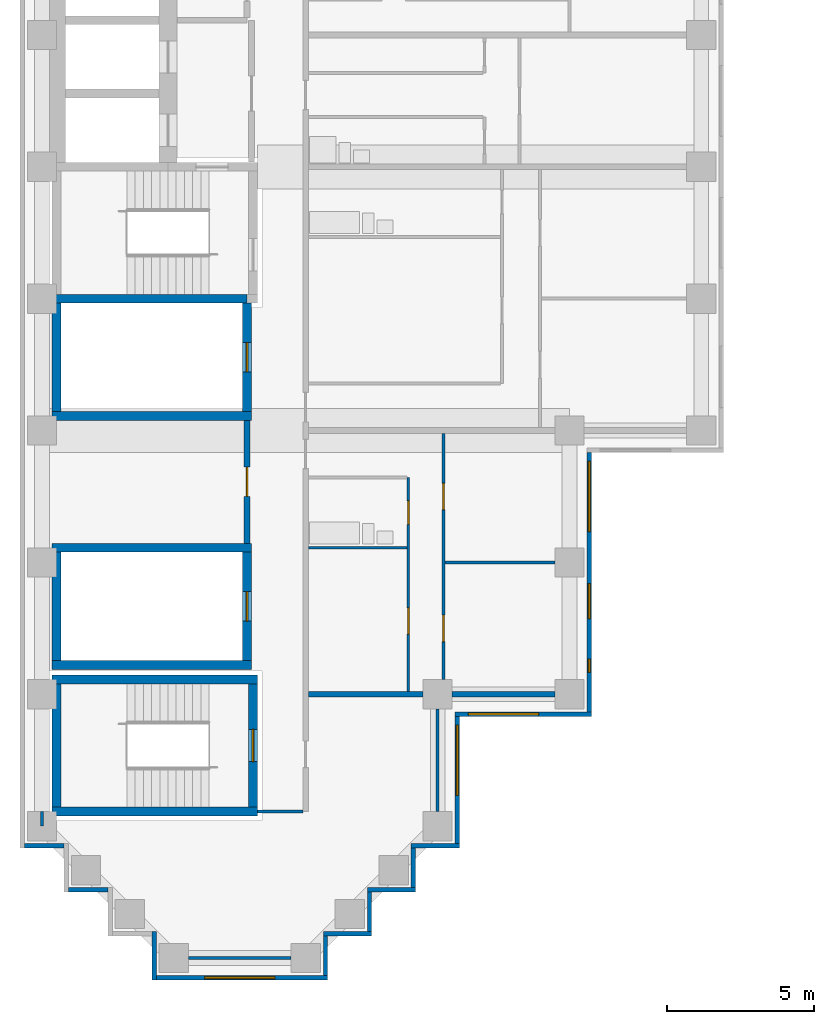
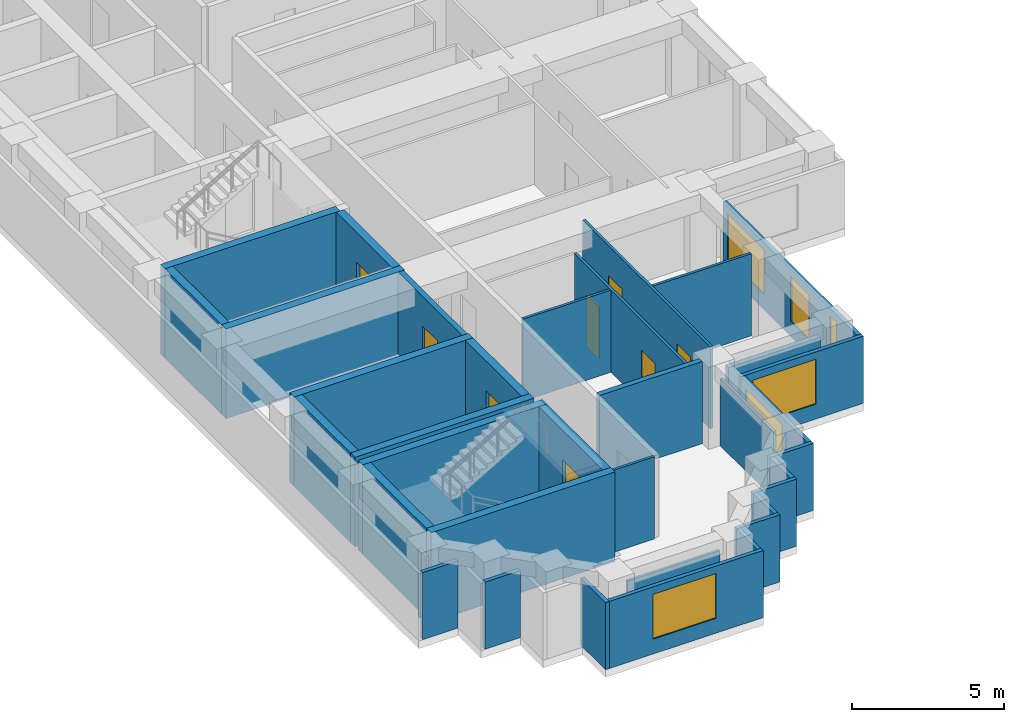
# One storey, part 2 of 11: 36 walls, 8 doors, 6 windows, 14 openings.
"""IFC4 building model written with IfcOpenShell, lengths in metres."""

from ifc_helpers import new_model, si_unit, direction, frame, frame_2d, origin, place, context, subcontext, project, spatial, rectangle, extrude, material, layer, layer_set, type_object, element, fill, save


model = new_model("IFC4")

# Units and contexts
model_context = context("Model", 3, precision=1e-05, world=origin(), true_north=direction((0.0, 1.0)))
body_context = subcontext(model_context, "Body", "Model", "MODEL_VIEW")
ifc_project = project(units=[si_unit("LENGTHUNIT", "METRE"), si_unit("AREAUNIT", "SQUARE_METRE"), si_unit("VOLUMEUNIT", "CUBIC_METRE"), si_unit("PLANEANGLEUNIT", "RADIAN"), si_unit("MASSUNIT", "GRAM", prefix="KILO")], contexts=[model_context])

# Site, building, storey
site_placement = place(None, origin())
site = spatial("IfcSite", under=ifc_project, at=site_placement, CompositionType="ELEMENT")
building_placement = place(site_placement, origin())
building = spatial("IfcBuilding", under=site, at=building_placement, Name="Firuza Court", CompositionType="ELEMENT")
storey_placement = place(building_placement, frame((0.0, 0.0, 134.0)))
storey = spatial("IfcBuildingStorey", under=building, at=storey_placement, Name="L33", CompositionType="ELEMENT", Elevation=134.0)

# Walls
ifc_material_1 = material(Name="Moisture-resistant gypsum board partition")
ifc_layer_1 = layer(ifc_material_1, 0.10009765625)
ifc_layer_set_1 = layer_set([ifc_layer_1], Name="Moisture-resistant gypsum board partition")
wall_type_1 = type_object("IfcWallType", Name="Bathroom partition 100", PredefinedType="PLUMBINGWALL", material=ifc_layer_set_1)
wall_1_placement = place(storey_placement, frame((9.10009765625, 14.0, 0.0), z_axis=(0.0, 0.0, 1.0), x_axis=(1.0, 0.0, 0.0)))
element("IfcWall", 1, at=wall_1_placement, inside=storey, type_object=wall_type_1, Name="Bathroom partition 100 L33", PredefinedType="PLUMBINGWALL", context=body_context, shape_type="SweptSolid", body=[
    extrude(rectangle(XDim=3.349853515625, YDim=0.10009765625, at=frame_2d((1.6748046875, 0.0))), origin(), (0.0, 0.0, 1.0), 3.300048828125),
])
ifc_material_2 = material(Name="Concrete C60/75", Category="concrete")
ifc_layer_2 = layer(ifc_material_2, 0.300048828125)
ifc_layer_set_2 = layer_set([ifc_layer_2], Name="Concrete C60/75")
wall_type_2 = type_object("IfcWallType", Name="Core wall 300 C60/75", PredefinedType="SHEAR", material=ifc_layer_set_2)
for number, where, z_axis, x_axis, name in (
    (2, (0.35009765625, 5.0, -0.300048828125), (0.0, 0.0, 1.0), (1.0, 0.0, 0.0), "Core wall stair L33"),
    (3, (0.35009765625, 9.5, -0.300048828125), (0.0, 0.0, 1.0), (1.0, 0.0, 0.0), "Core wall stair L33"),
):
    element("IfcWall", number, at=place(storey_placement, frame(where, z_axis=z_axis, x_axis=x_axis)), inside=storey, type_object=wall_type_2, Name=name, PredefinedType="SHEAR", context=body_context, shape_type="SweptSolid", body=[
        extrude(rectangle(XDim=7.0, YDim=0.300048828125, at=frame_2d((3.5, 0.0))), origin(), (0.0, 0.0, 1.0), 3.60009765625),
    ])
for number, where, z_axis, x_axis, name in (
    (4, (0.35009765625, 10.0, -0.300048828125), (0.0, 0.0, 1.0), (1.0, 0.0, 0.0), "Core wall riser L33"),
    (5, (0.35009765625, 14.0, -0.300048828125), (0.0, 0.0, 1.0), (1.0, 0.0, 0.0), "Core wall riser L33"),
    (6, (0.35009765625, 18.5, -0.300048828125), (0.0, 0.0, 1.0), (1.0, 0.0, 0.0), "Core wall riser L33"),
):
    element("IfcWall", number, at=place(storey_placement, frame(where, z_axis=z_axis, x_axis=x_axis)), inside=storey, type_object=wall_type_2, Name=name, PredefinedType="SHEAR", context=body_context, shape_type="SweptSolid", body=[
        extrude(rectangle(XDim=6.7998046875, YDim=0.300048828125, at=frame_2d((3.39990234375, 0.0))), origin(), (0.0, 0.0, 1.0), 3.60009765625),
    ])
wall_2_placement = place(storey_placement, frame((0.35009765625, 22.5, -0.300048828125), z_axis=(0.0, 0.0, 1.0), x_axis=(1.0, 0.0, 0.0)))
element("IfcWall", 7, at=wall_2_placement, inside=storey, type_object=wall_type_2, Name="Core wall riser L33", PredefinedType="SHEAR", context=body_context, shape_type="SweptSolid", body=[
    extrude(rectangle(XDim=6.64990234375, YDim=0.300048828125, at=frame_2d((3.324951171875, 0.0))), origin(), (0.0, 0.0, 1.0), 3.60009765625),
])
wall_3_placement = place(storey_placement, frame((0.5, 5.14990234375, -0.300048828125), z_axis=(0.0, 0.0, 1.0), x_axis=(0.0, 1.0, 0.0)))
element("IfcWall", 8, at=wall_3_placement, inside=storey, type_object=wall_type_2, Name="Core wall stair L33", PredefinedType="SHEAR", context=body_context, shape_type="SweptSolid", body=[
    extrude(rectangle(XDim=4.2001953125, YDim=0.300048828125, at=frame_2d((2.10009765625, 0.0))), origin(), (0.0, 0.0, 1.0), 3.60009765625),
])
for number, where, z_axis, x_axis, name in (
    (9, (0.5, 10.14990234375, -0.300048828125), (0.0, 0.0, 1.0), (0.0, 1.0, 0.0), "Core wall riser L33"),
    (10, (0.5, 18.64990234375, -0.300048828125), (0.0, 0.0, 1.0), (0.0, 1.0, 0.0), "Core wall riser L33"),
):
    element("IfcWall", number, at=place(storey_placement, frame(where, z_axis=z_axis, x_axis=x_axis)), inside=storey, type_object=wall_type_2, Name=name, PredefinedType="SHEAR", context=body_context, shape_type="SweptSolid", body=[
        extrude(rectangle(XDim=3.7001953125, YDim=0.300048828125, at=frame_2d((1.85009765625, 0.0))), origin(), (0.0, 0.0, 1.0), 3.60009765625),
    ])

# Wall, opening, door
wall_4_placement = place(storey_placement, frame((7.0, 10.14990234375, -0.300048828125), z_axis=(0.0, 0.0, 1.0), x_axis=(0.0, 1.0, 0.0)))
wall_4 = element("IfcWall", 11, at=wall_4_placement, inside=storey, type_object=wall_type_2, Name="Core wall riser L33", PredefinedType="SHEAR", context=body_context, shape_type="SweptSolid", body=[
    extrude(rectangle(XDim=3.7001953125, YDim=0.300048828125, at=frame_2d((1.85009765625, 0.0))), origin(), (0.0, 0.0, 1.0), 3.60009765625),
])
opening_1_placement = place(wall_4_placement, frame((1.35009765625, 0.0, 0.300048828125)))
opening_1 = element("IfcOpeningElement", 12, at=opening_1_placement, cuts=wall_4, Name="Opening D33011", PredefinedType="OPENING", context=body_context, shape_type="SweptSolid", body=[
    extrude(rectangle(XDim=1.0, YDim=2.10009765625, at=frame_2d((0.5, 1.050048828125))), frame((0.0, 0.162109375, 0.0), z_axis=(0.0, -1.0, 0.0), x_axis=(1.0, 0.0, 0.0)), (0.0, 0.0, 1.0), 0.323974609375),
])
ifc_material_3 = material(Name="Timber door leaf in hardwood frame", Category="wood")
door_type_1 = type_object("IfcDoorType", Name="Riser door 1000", OperationType="SINGLE_SWING_LEFT", PredefinedType="DOOR", material=ifc_material_3)
door_1_placement = place(opening_1_placement, origin())
door_1 = element("IfcDoor", 13, at=door_1_placement, inside=storey, type_object=door_type_1, Name="Riser door R4", OperationType="SINGLE_SWING_LEFT", OverallHeight=2.10009765625, OverallWidth=1.0, PredefinedType="DOOR", context=body_context, shape_type="SweptSolid", body=[
    extrude(rectangle(XDim=1.0, YDim=2.10009765625, at=frame_2d((0.5, 1.050048828125))), frame((0.0, 0.02490234375, 0.0), z_axis=(0.0, -1.0, 0.0), x_axis=(1.0, 0.0, 0.0)), (0.0, 0.0, 1.0), 0.050048828125),
])
fill(opening_1, door_1)

wall_5_placement = place(storey_placement, frame((7.0, 18.64990234375, -0.300048828125), z_axis=(0.0, 0.0, 1.0), x_axis=(0.0, 1.0, 0.0)))
wall_5 = element("IfcWall", 14, at=wall_5_placement, inside=storey, type_object=wall_type_2, Name="Core wall riser L33", PredefinedType="SHEAR", context=body_context, shape_type="SweptSolid", body=[
    extrude(rectangle(XDim=3.7001953125, YDim=0.300048828125, at=frame_2d((1.85009765625, 0.0))), origin(), (0.0, 0.0, 1.0), 3.60009765625),
])
opening_2_placement = place(wall_5_placement, frame((1.35009765625, 0.0, 0.300048828125)))
opening_2 = element("IfcOpeningElement", 15, at=opening_2_placement, cuts=wall_5, Name="Opening D33009", PredefinedType="OPENING", context=body_context, shape_type="SweptSolid", body=[
    extrude(rectangle(XDim=1.0, YDim=2.10009765625, at=frame_2d((0.5, 1.050048828125))), frame((0.0, 0.162109375, 0.0), z_axis=(0.0, -1.0, 0.0), x_axis=(1.0, 0.0, 0.0)), (0.0, 0.0, 1.0), 0.323974609375),
])
door_2_placement = place(opening_2_placement, origin())
door_2 = element("IfcDoor", 16, at=door_2_placement, inside=storey, type_object=door_type_1, Name="Riser door R1", OperationType="SINGLE_SWING_LEFT", OverallHeight=2.10009765625, OverallWidth=1.0, PredefinedType="DOOR", context=body_context, shape_type="SweptSolid", body=[
    extrude(rectangle(XDim=1.0, YDim=2.10009765625, at=frame_2d((0.5, 1.050048828125))), frame((0.0, 0.02490234375, 0.0), z_axis=(0.0, -1.0, 0.0), x_axis=(1.0, 0.0, 0.0)), (0.0, 0.0, 1.0), 0.050048828125),
])
fill(opening_2, door_2)

wall_6_placement = place(storey_placement, frame((7.199951171875, 5.14990234375, -0.300048828125), z_axis=(0.0, 0.0, 1.0), x_axis=(0.0, 1.0, 0.0)))
wall_6 = element("IfcWall", 17, at=wall_6_placement, inside=storey, type_object=wall_type_2, Name="Core wall stair L33", PredefinedType="SHEAR", context=body_context, shape_type="SweptSolid", body=[
    extrude(rectangle(XDim=4.2001953125, YDim=0.300048828125, at=frame_2d((2.10009765625, 0.0))), origin(), (0.0, 0.0, 1.0), 3.60009765625),
])
opening_3_placement = place(wall_6_placement, frame((1.550048828125, 0.0, 0.300048828125)))
opening_3 = element("IfcOpeningElement", 18, at=opening_3_placement, cuts=wall_6, Name="Opening D33017", PredefinedType="OPENING", context=body_context, shape_type="SweptSolid", body=[
    extrude(rectangle(XDim=1.10009765625, YDim=2.10009765625, at=frame_2d((0.550048828125, 1.050048828125))), frame((0.0, 0.162109375, 0.0), z_axis=(0.0, -1.0, 0.0), x_axis=(1.0, 0.0, 0.0)), (0.0, 0.0, 1.0), 0.323974609375),
])
ifc_material_4 = material(Name="Timber door leaf in hardwood frame", Category="wood")
door_type_2 = type_object("IfcDoorType", Name="Stair door 1100", OperationType="SINGLE_SWING_LEFT", PredefinedType="DOOR", material=ifc_material_4)
door_3_placement = place(opening_3_placement, origin())
door_3 = element("IfcDoor", 19, at=door_3_placement, inside=storey, type_object=door_type_2, Name="Stair door S5", OperationType="SINGLE_SWING_LEFT", OverallHeight=2.10009765625, OverallWidth=1.10009765625, PredefinedType="DOOR", context=body_context, shape_type="SweptSolid", body=[
    extrude(rectangle(XDim=1.10009765625, YDim=2.10009765625, at=frame_2d((0.550048828125, 1.050048828125))), frame((0.0, 0.02490234375, 0.0), z_axis=(0.0, -1.0, 0.0), x_axis=(1.0, 0.0, 0.0)), (0.0, 0.0, 1.0), 0.050048828125),
])
fill(opening_3, door_3)

ifc_material_5 = material(Name="Blockwork, plastered both sides", Category="masonry")
ifc_layer_3 = layer(ifc_material_5, 0.199951171875)
ifc_layer_set_3 = layer_set([ifc_layer_3], Name="Blockwork, plastered both sides")
wall_type_3 = type_object("IfcWallType", Name="Corridor wall 200", PredefinedType="PARTITIONING", material=ifc_layer_set_3)
wall_7_placement = place(storey_placement, frame((7.0, 14.14990234375, 0.0), z_axis=(0.0, 0.0, 1.0), x_axis=(0.0, 1.0, 0.0)))
wall_7 = element("IfcWall", 20, at=wall_7_placement, inside=storey, type_object=wall_type_3, Name="Corridor wall 200 L33", PredefinedType="PARTITIONING", context=body_context, shape_type="SweptSolid", body=[
    extrude(rectangle(XDim=4.2001953125, YDim=0.199951171875, at=frame_2d((2.10009765625, 0.0))), origin(), (0.0, 0.0, 1.0), 3.300048828125),
])
opening_4_placement = place(wall_7_placement, frame((1.60009765625, 0.0, 0.0)))
opening_4 = element("IfcOpeningElement", 21, at=opening_4_placement, cuts=wall_7, Name="Opening D33026", PredefinedType="OPENING", context=body_context, shape_type="SweptSolid", body=[
    extrude(rectangle(XDim=1.0, YDim=2.10009765625, at=frame_2d((0.5, 1.050048828125))), frame((0.0, 0.11181640625, 0.0), z_axis=(0.0, -1.0, 0.0), x_axis=(1.0, 0.0, 0.0)), (0.0, 0.0, 1.0), 0.223876953125),
])
ifc_material_6 = material(Name="Timber door leaf in hardwood frame", Category="wood")
door_type_3 = type_object("IfcDoorType", Name="Store door 1000", OperationType="SINGLE_SWING_LEFT", PredefinedType="DOOR", material=ifc_material_6)
door_4_placement = place(opening_4_placement, origin())
door_4 = element("IfcDoor", 22, at=door_4_placement, inside=storey, type_object=door_type_3, Name="Comms room door", OperationType="SINGLE_SWING_LEFT", OverallHeight=2.10009765625, OverallWidth=1.0, PredefinedType="DOOR", context=body_context, shape_type="SweptSolid", body=[
    extrude(rectangle(XDim=1.0, YDim=2.10009765625, at=frame_2d((0.5, 1.050048828125))), frame((0.0, 0.02490234375, 0.0), z_axis=(0.0, -1.0, 0.0), x_axis=(1.0, 0.0, 0.0)), (0.0, 0.0, 1.0), 0.050048828125),
])
fill(opening_4, door_4)

# Walls
ifc_material_7 = material(Name="Timber stud partition, plasterboard both sides", Category="wood")
ifc_layer_4 = layer(ifc_material_7, 0.10009765625)
ifc_layer_set_4 = layer_set([ifc_layer_4], Name="Timber stud partition, plasterboard both sides")
wall_type_4 = type_object("IfcWallType", Name="Partition wall 100", PredefinedType="PARTITIONING", material=ifc_layer_set_4)
wall_8_placement = place(storey_placement, frame((5.0, 0.0, 0.0), z_axis=(0.0, 0.0, 1.0), x_axis=(1.0, 0.0, 0.0)))
element("IfcWall", 23, at=wall_8_placement, inside=storey, type_object=wall_type_4, Name="Partition wall 100 L33", PredefinedType="PARTITIONING", context=body_context, shape_type="SweptSolid", body=[
    extrude(rectangle(XDim=3.5, YDim=0.10009765625, at=frame_2d((1.75, 0.0))), origin(), (0.0, 0.0, 1.0), 2.699951171875),
])
wall_9_placement = place(storey_placement, frame((0.0, 4.5, 0.0), z_axis=(0.0, 0.0, 1.0), x_axis=(0.0, 1.0, 0.0)))
element("IfcWall", 24, at=wall_9_placement, inside=storey, type_object=wall_type_4, Name="Partition wall 100 L33", PredefinedType="PARTITIONING", context=body_context, shape_type="SweptSolid", body=[
    extrude(rectangle(XDim=0.5, YDim=0.10009765625, at=frame_2d((0.25, 0.0))), origin(), (0.0, 0.0, 1.0), 2.699951171875),
])
wall_10_placement = place(storey_placement, frame((7.34912109375, 5.0, 0.0), z_axis=(0.0, 0.0, 1.0), x_axis=(1.0, 0.0, 0.0)))
element("IfcWall", 25, at=wall_10_placement, inside=storey, type_object=wall_type_4, Name="Partition wall 100 L33", PredefinedType="PARTITIONING", context=body_context, shape_type="SweptSolid", body=[
    extrude(rectangle(XDim=1.55078125, YDim=0.10009765625, at=frame_2d((0.775390625, 0.0))), origin(), (0.0, 0.0, 1.0), 3.300048828125),
])
wall_11_placement = place(storey_placement, frame((13.5, 5.0, 0.0), z_axis=(0.0, 0.0, 1.0), x_axis=(0.0, 1.0, 0.0)))
element("IfcWall", 26, at=wall_11_placement, inside=storey, type_object=wall_type_4, Name="Partition wall 100 L33", PredefinedType="PARTITIONING", context=body_context, shape_type="SweptSolid", body=[
    extrude(rectangle(XDim=3.5, YDim=0.10009765625, at=frame_2d((1.75, 0.0))), origin(), (0.0, 0.0, 1.0), 2.699951171875),
])

# Wall, openings, doors
wall_12_placement = place(storey_placement, frame((12.5, 9.10009765625, 0.0), z_axis=(0.0, 0.0, 1.0), x_axis=(0.0, 1.0, 0.0)))
wall_12 = element("IfcWall", 27, at=wall_12_placement, inside=storey, type_object=wall_type_4, Name="Partition wall 100 L33", PredefinedType="PARTITIONING", context=body_context, shape_type="SweptSolid", body=[
    extrude(rectangle(XDim=7.2998046875, YDim=0.10009765625, at=frame_2d((3.64990234375, 0.0))), origin(), (0.0, 0.0, 1.0), 3.300048828125),
])
opening_5_placement = place(wall_12_placement, frame((5.699951171875, 0.0, 0.0)))
opening_5 = element("IfcOpeningElement", 28, at=opening_5_placement, cuts=wall_12, Name="Opening D33022", PredefinedType="OPENING", context=body_context, shape_type="SweptSolid", body=[
    extrude(rectangle(XDim=0.800048828125, YDim=2.10009765625, at=frame_2d((0.39990234375, 1.050048828125))), frame((0.0, 0.06201171875, 0.0), z_axis=(0.0, -1.0, 0.0), x_axis=(1.0, 0.0, 0.0)), (0.0, 0.0, 1.0), 0.1240234375),
])
opening_6_placement = place(wall_12_placement, frame((1.949951171875, 0.0, 0.0)))
opening_6 = element("IfcOpeningElement", 29, at=opening_6_placement, cuts=wall_12, Name="Opening D33023", PredefinedType="OPENING", context=body_context, shape_type="SweptSolid", body=[
    extrude(rectangle(XDim=0.89990234375, YDim=2.10009765625, at=frame_2d((0.449951171875, 1.050048828125))), frame((0.0, 0.06201171875, 0.0), z_axis=(0.0, -1.0, 0.0), x_axis=(1.0, 0.0, 0.0)), (0.0, 0.0, 1.0), 0.1240234375),
])
ifc_material_8 = material(Name="Timber door leaf in hardwood frame", Category="wood")
door_type_4 = type_object("IfcDoorType", Name="Bathroom door 800", OperationType="SINGLE_SWING_LEFT", PredefinedType="DOOR", material=ifc_material_8)
door_5_placement = place(opening_5_placement, origin())
door_5 = element("IfcDoor", 30, at=door_5_placement, inside=storey, type_object=door_type_4, Name="Bathroom door", OperationType="SINGLE_SWING_LEFT", OverallHeight=2.10009765625, OverallWidth=0.800048828125, PredefinedType="DOOR", context=body_context, shape_type="SweptSolid", body=[
    extrude(rectangle(XDim=0.800048828125, YDim=2.10009765625, at=frame_2d((0.39990234375, 1.050048828125))), frame((0.0, 0.02490234375, 0.0), z_axis=(0.0, -1.0, 0.0), x_axis=(1.0, 0.0, 0.0)), (0.0, 0.0, 1.0), 0.050048828125),
])
fill(opening_5, door_5)
ifc_material_9 = material(Name="Timber door leaf in hardwood frame", Category="wood")
door_type_5 = type_object("IfcDoorType", Name="Room door 900", OperationType="SINGLE_SWING_LEFT", PredefinedType="DOOR", material=ifc_material_9)
door_6_placement = place(opening_6_placement, origin())
door_6 = element("IfcDoor", 31, at=door_6_placement, inside=storey, type_object=door_type_5, Name="Kitchen door", OperationType="SINGLE_SWING_LEFT", OverallHeight=2.10009765625, OverallWidth=0.89990234375, PredefinedType="DOOR", context=body_context, shape_type="SweptSolid", body=[
    extrude(rectangle(XDim=0.89990234375, YDim=2.10009765625, at=frame_2d((0.449951171875, 1.050048828125))), frame((0.0, 0.02490234375, 0.0), z_axis=(0.0, -1.0, 0.0), x_axis=(1.0, 0.0, 0.0)), (0.0, 0.0, 1.0), 0.050048828125),
])
fill(opening_6, door_6)

wall_13_placement = place(storey_placement, frame((13.699951171875, 9.5, 0.0), z_axis=(0.0, 0.0, 1.0), x_axis=(0.0, 1.0, 0.0)))
wall_13 = element("IfcWall", 32, at=wall_13_placement, inside=storey, type_object=wall_type_4, Name="Partition wall 100 L33", PredefinedType="PARTITIONING", context=body_context, shape_type="SweptSolid", body=[
    extrude(rectangle(XDim=8.39990234375, YDim=0.10009765625, at=frame_2d((4.199951171875, 0.0))), origin(), (0.0, 0.0, 1.0), 3.300048828125),
])
opening_7_placement = place(wall_13_placement, frame((1.300048828125, 0.0, 0.0)))
opening_7 = element("IfcOpeningElement", 33, at=opening_7_placement, cuts=wall_13, Name="Opening D33024", PredefinedType="OPENING", context=body_context, shape_type="SweptSolid", body=[
    extrude(rectangle(XDim=0.89990234375, YDim=2.10009765625, at=frame_2d((0.449951171875, 1.050048828125))), frame((0.0, 0.06201171875, 0.0), z_axis=(0.0, -1.0, 0.0), x_axis=(1.0, 0.0, 0.0)), (0.0, 0.0, 1.0), 0.1240234375),
])
opening_8_placement = place(wall_13_placement, frame((5.800048828125, 0.0, 0.0)))
opening_8 = element("IfcOpeningElement", 34, at=opening_8_placement, cuts=wall_13, Name="Opening D33025", PredefinedType="OPENING", context=body_context, shape_type="SweptSolid", body=[
    extrude(rectangle(XDim=0.89990234375, YDim=2.10009765625, at=frame_2d((0.449951171875, 1.050048828125))), frame((0.0, 0.06201171875, 0.0), z_axis=(0.0, -1.0, 0.0), x_axis=(1.0, 0.0, 0.0)), (0.0, 0.0, 1.0), 0.1240234375),
])
door_7_placement = place(opening_7_placement, frame((0.89990234375, 0.0, 0.0), z_axis=(0.0, 0.0, 1.0), x_axis=(-1.0, 0.0, 0.0)))
door_7 = element("IfcDoor", 35, at=door_7_placement, inside=storey, type_object=door_type_5, Name="Bedroom door", OperationType="SINGLE_SWING_RIGHT", OverallHeight=2.10009765625, OverallWidth=0.89990234375, PredefinedType="DOOR", context=body_context, shape_type="SweptSolid", body=[
    extrude(rectangle(XDim=0.89990234375, YDim=2.10009765625, at=frame_2d((0.449951171875, 1.050048828125))), frame((0.0, 0.02490234375, 0.0), z_axis=(0.0, -1.0, 0.0), x_axis=(1.0, 0.0, 0.0)), (0.0, 0.0, 1.0), 0.050048828125),
])
fill(opening_7, door_7)
door_8_placement = place(opening_8_placement, frame((0.89990234375, 0.0, 0.0), z_axis=(0.0, 0.0, 1.0), x_axis=(-1.0, 0.0, 0.0)))
door_8 = element("IfcDoor", 36, at=door_8_placement, inside=storey, type_object=door_type_5, Name="Living room door", OperationType="SINGLE_SWING_RIGHT", OverallHeight=2.10009765625, OverallWidth=0.89990234375, PredefinedType="DOOR", context=body_context, shape_type="SweptSolid", body=[
    extrude(rectangle(XDim=0.89990234375, YDim=2.10009765625, at=frame_2d((0.449951171875, 1.050048828125))), frame((0.0, 0.02490234375, 0.0), z_axis=(0.0, -1.0, 0.0), x_axis=(1.0, 0.0, 0.0)), (0.0, 0.0, 1.0), 0.050048828125),
])
fill(opening_8, door_8)

# Walls
wall_14_placement = place(storey_placement, frame((13.75, 13.5, 0.0), z_axis=(0.0, 0.0, 1.0), x_axis=(1.0, 0.0, 0.0)))
element("IfcWall", 37, at=wall_14_placement, inside=storey, type_object=wall_type_4, Name="Partition wall 100 L33", PredefinedType="PARTITIONING", context=body_context, shape_type="SweptSolid", body=[
    extrude(rectangle(XDim=3.75, YDim=0.10009765625, at=frame_2d((1.875, 0.0))), origin(), (0.0, 0.0, 1.0), 3.300048828125),
])
ifc_layer_5 = layer(ifc_material_5, 0.199951171875)
ifc_layer_set_5 = layer_set([ifc_layer_5], Name="Blockwork, plastered both sides")
wall_type_5 = type_object("IfcWallType", Name="Party wall 200", PredefinedType="PARTITIONING", material=ifc_layer_set_5)
wall_15_placement = place(storey_placement, frame((9.10009765625, 9.0, 0.0), z_axis=(0.0, 0.0, 1.0), x_axis=(1.0, 0.0, 0.0)))
element("IfcWall", 38, at=wall_15_placement, inside=storey, type_object=wall_type_5, Name="Party wall 200 L33", PredefinedType="PARTITIONING", context=body_context, shape_type="SweptSolid", body=[
    extrude(rectangle(XDim=3.89990234375, YDim=0.199951171875, at=frame_2d((1.949951171875, 0.0))), origin(), (0.0, 0.0, 1.0), 3.300048828125),
])
wall_16_placement = place(storey_placement, frame((14.0, 9.0, 0.0), z_axis=(0.0, 0.0, 1.0), x_axis=(1.0, 0.0, 0.0)))
element("IfcWall", 39, at=wall_16_placement, inside=storey, type_object=wall_type_5, Name="Party wall 200 L33", PredefinedType="PARTITIONING", context=body_context, shape_type="SweptSolid", body=[
    extrude(rectangle(XDim=3.5, YDim=0.199951171875, at=frame_2d((1.75, 0.0))), origin(), (0.0, 0.0, 1.0), 2.699951171875),
])
ifc_material_10 = material(Name="Ceramic tile", Category="ceramic")
ifc_layer_6 = layer(ifc_material_10, 0.02001953125)
ifc_material_11 = material(Name="Mineral wool insulation", Category="insulation")
ifc_layer_7 = layer(ifc_material_11, 0.050048828125)
ifc_material_12 = material(Name="Concrete C40/50 precast", Category="concrete")
ifc_layer_8 = layer(ifc_material_12, 0.080078125)
ifc_layer_set_6 = layer_set([ifc_layer_6, ifc_layer_7, ifc_layer_8], Name="Concrete C40/50 precast")
wall_type_6 = type_object("IfcWallType", Name="Precast cladding wall with turquoise TILE PANEL face 150", PredefinedType="STANDARD", material=ifc_layer_set_6)
wall_17_placement = place(storey_placement, frame((9.675048828125, -0.60009765625, 0.0), z_axis=(0.0, 0.0, 1.0), x_axis=(0.0, 1.0, 0.0)))
element("IfcWall", 40, at=wall_17_placement, inside=storey, type_object=wall_type_6, Name="Facade wall L33 E", PredefinedType="STANDARD", context=body_context, shape_type="SweptSolid", body=[
    extrude(rectangle(XDim=1.35009765625, YDim=0.14990234375, at=frame_2d((0.675048828125, 0.0))), origin(), (0.0, 0.0, 1.0), 2.699951171875),
])
wall_18_placement = place(storey_placement, frame((9.60009765625, 0.824951171875, 0.0), z_axis=(0.0, 0.0, 1.0), x_axis=(1.0, 0.0, 0.0)))
element("IfcWall", 41, at=wall_18_placement, inside=storey, type_object=wall_type_6, Name="Facade wall L33 S", PredefinedType="STANDARD", context=body_context, shape_type="SweptSolid", body=[
    extrude(rectangle(XDim=1.64990234375, YDim=0.14990234375, at=frame_2d((0.824951171875, 0.0))), origin(), (0.0, 0.0, 1.0), 2.699951171875),
])
wall_19_placement = place(storey_placement, frame((11.175048828125, 0.89990234375, 0.0), z_axis=(0.0, 0.0, 1.0), x_axis=(0.0, 1.0, 0.0)))
element("IfcWall", 42, at=wall_19_placement, inside=storey, type_object=wall_type_6, Name="Facade wall L33 E", PredefinedType="STANDARD", context=body_context, shape_type="SweptSolid", body=[
    extrude(rectangle(XDim=1.35009765625, YDim=0.14990234375, at=frame_2d((0.675048828125, 0.0))), origin(), (0.0, 0.0, 1.0), 2.699951171875),
])
wall_20_placement = place(storey_placement, frame((11.10009765625, 2.324951171875, 0.0), z_axis=(0.0, 0.0, 1.0), x_axis=(1.0, 0.0, 0.0)))
element("IfcWall", 43, at=wall_20_placement, inside=storey, type_object=wall_type_6, Name="Facade wall L33 S", PredefinedType="STANDARD", context=body_context, shape_type="SweptSolid", body=[
    extrude(rectangle(XDim=1.64990234375, YDim=0.14990234375, at=frame_2d((0.824951171875, 0.0))), origin(), (0.0, 0.0, 1.0), 2.699951171875),
])
wall_21_placement = place(storey_placement, frame((12.675048828125, 2.39990234375, 0.0), z_axis=(0.0, 0.0, 1.0), x_axis=(0.0, 1.0, 0.0)))
element("IfcWall", 44, at=wall_21_placement, inside=storey, type_object=wall_type_6, Name="Facade wall L33 E", PredefinedType="STANDARD", context=body_context, shape_type="SweptSolid", body=[
    extrude(rectangle(XDim=1.35009765625, YDim=0.14990234375, at=frame_2d((0.675048828125, 0.0))), origin(), (0.0, 0.0, 1.0), 2.699951171875),
])
wall_22_placement = place(storey_placement, frame((12.60009765625, 3.824951171875, 0.0), z_axis=(0.0, 0.0, 1.0), x_axis=(1.0, 0.0, 0.0)))
element("IfcWall", 45, at=wall_22_placement, inside=storey, type_object=wall_type_6, Name="Facade wall L33 S", PredefinedType="STANDARD", context=body_context, shape_type="SweptSolid", body=[
    extrude(rectangle(XDim=1.64990234375, YDim=0.14990234375, at=frame_2d((0.824951171875, 0.0))), origin(), (0.0, 0.0, 1.0), 2.699951171875),
])

# Wall, opening, window
wall_23_placement = place(storey_placement, frame((14.175048828125, 3.89990234375, 0.0), z_axis=(0.0, 0.0, 1.0), x_axis=(0.0, 1.0, 0.0)))
wall_23 = element("IfcWall", 46, at=wall_23_placement, inside=storey, type_object=wall_type_6, Name="Facade wall L33 E", PredefinedType="STANDARD", context=body_context, shape_type="SweptSolid", body=[
    extrude(rectangle(XDim=4.35009765625, YDim=0.14990234375, at=frame_2d((2.175048828125, 0.0))), origin(), (0.0, 0.0, 1.0), 2.699951171875),
])
opening_9_placement = place(wall_23_placement, frame((1.64990234375, 0.0, 0.60009765625)))
opening_9 = element("IfcOpeningElement", 47, at=opening_9_placement, cuts=wall_23, Name="Opening W1", PredefinedType="OPENING", context=body_context, shape_type="SweptSolid", body=[
    extrude(rectangle(XDim=2.39990234375, YDim=1.800048828125, at=frame_2d((1.199951171875, 0.89990234375))), frame((0.0, 0.0869140625, 0.0), z_axis=(0.0, -1.0, 0.0), x_axis=(1.0, 0.0, 0.0)), (0.0, 0.0, 1.0), 0.173828125),
])
ifc_material_13 = material(Name="Aluminium frame, triple clear glazing", Category="aluminium")
window_type_1 = type_object("IfcWindowType", Name="Window W1 2400 x 1800", PartitioningType="SINGLE_PANEL", PredefinedType="WINDOW", material=ifc_material_13)
window_1_placement = place(opening_9_placement, origin())
window_1 = element("IfcWindow", 48, at=window_1_placement, inside=storey, type_object=window_type_1, Name="Window L33", OverallHeight=1.800048828125, OverallWidth=2.39990234375, PartitioningType="SINGLE_PANEL", PredefinedType="WINDOW", context=body_context, shape_type="SweptSolid", body=[
    extrude(rectangle(XDim=2.39990234375, YDim=1.800048828125, at=frame_2d((1.199951171875, 0.89990234375))), frame((0.0, 0.030029296875, 0.0), z_axis=(0.0, -1.0, 0.0), x_axis=(1.0, 0.0, 0.0)), (0.0, 0.0, 1.0), 0.06005859375),
])
fill(opening_9, window_1)

wall_24_placement = place(storey_placement, frame((14.10009765625, 8.324951171875, 0.0), z_axis=(0.0, 0.0, 1.0), x_axis=(1.0, 0.0, 0.0)))
wall_24 = element("IfcWall", 49, at=wall_24_placement, inside=storey, type_object=wall_type_6, Name="Facade wall L33 S", PredefinedType="STANDARD", context=body_context, shape_type="SweptSolid", body=[
    extrude(rectangle(XDim=4.64990234375, YDim=0.14990234375, at=frame_2d((2.324951171875, 0.0))), origin(), (0.0, 0.0, 1.0), 2.699951171875),
])
opening_10_placement = place(wall_24_placement, frame((0.449951171875, 0.0, 0.60009765625)))
opening_10 = element("IfcOpeningElement", 50, at=opening_10_placement, cuts=wall_24, Name="Opening W1", PredefinedType="OPENING", context=body_context, shape_type="SweptSolid", body=[
    extrude(rectangle(XDim=2.39990234375, YDim=1.800048828125, at=frame_2d((1.199951171875, 0.89990234375))), frame((0.0, 0.0869140625, 0.0), z_axis=(0.0, -1.0, 0.0), x_axis=(1.0, 0.0, 0.0)), (0.0, 0.0, 1.0), 0.173828125),
])
window_2_placement = place(opening_10_placement, origin())
window_2 = element("IfcWindow", 51, at=window_2_placement, inside=storey, type_object=window_type_1, Name="Window L33", OverallHeight=1.800048828125, OverallWidth=2.39990234375, PartitioningType="SINGLE_PANEL", PredefinedType="WINDOW", context=body_context, shape_type="SweptSolid", body=[
    extrude(rectangle(XDim=2.39990234375, YDim=1.800048828125, at=frame_2d((1.199951171875, 0.89990234375))), frame((0.0, 0.030029296875, 0.0), z_axis=(0.0, -1.0, 0.0), x_axis=(1.0, 0.0, 0.0)), (0.0, 0.0, 1.0), 0.06005859375),
])
fill(opening_10, window_2)

# Wall, openings, windows
wall_25_placement = place(storey_placement, frame((18.675048828125, 8.39990234375, 0.0), z_axis=(0.0, 0.0, 1.0), x_axis=(0.0, 1.0, 0.0)))
wall_25 = element("IfcWall", 52, at=wall_25_placement, inside=storey, type_object=wall_type_6, Name="Facade wall L33 E", PredefinedType="STANDARD", context=body_context, shape_type="SweptSolid", body=[
    extrude(rectangle(XDim=8.85009765625, YDim=0.14990234375, at=frame_2d((4.425048828125, 0.0))), origin(), (0.0, 0.0, 1.0), 2.699951171875),
])
opening_11_placement = place(wall_25_placement, frame((1.3505859375, 0.0, 0.60009765625)))
opening_11 = element("IfcOpeningElement", 53, at=opening_11_placement, cuts=wall_25, Name="Opening W5", PredefinedType="OPENING", context=body_context, shape_type="SweptSolid", body=[
    extrude(rectangle(XDim=0.449951171875, YDim=1.800048828125, at=frame_2d((0.22509765625, 0.89990234375))), frame((0.0, 0.0869140625, 0.0), z_axis=(0.0, -1.0, 0.0), x_axis=(1.0, 0.0, 0.0)), (0.0, 0.0, 1.0), 0.173828125),
])
opening_12_placement = place(wall_25_placement, frame((3.179443359375, 0.0, 0.60009765625)))
opening_12 = element("IfcOpeningElement", 54, at=opening_12_placement, cuts=wall_25, Name="Opening W8", PredefinedType="OPENING", context=body_context, shape_type="SweptSolid", body=[
    extrude(rectangle(XDim=1.199951171875, YDim=1.800048828125, at=frame_2d((0.60009765625, 0.89990234375))), frame((0.0, 0.0869140625, 0.0), z_axis=(0.0, -1.0, 0.0), x_axis=(1.0, 0.0, 0.0)), (0.0, 0.0, 1.0), 0.173828125),
])
opening_13_placement = place(wall_25_placement, frame((6.14990234375, 0.0, 0.60009765625)))
opening_13 = element("IfcOpeningElement", 55, at=opening_13_placement, cuts=wall_25, Name="Opening W1", PredefinedType="OPENING", context=body_context, shape_type="SweptSolid", body=[
    extrude(rectangle(XDim=2.39990234375, YDim=1.800048828125, at=frame_2d((1.199951171875, 0.89990234375))), frame((0.0, 0.0869140625, 0.0), z_axis=(0.0, -1.0, 0.0), x_axis=(1.0, 0.0, 0.0)), (0.0, 0.0, 1.0), 0.173828125),
])
window_3_placement = place(opening_13_placement, origin())
window_3 = element("IfcWindow", 56, at=window_3_placement, inside=storey, type_object=window_type_1, Name="Window L33", OverallHeight=1.800048828125, OverallWidth=2.39990234375, PartitioningType="SINGLE_PANEL", PredefinedType="WINDOW", context=body_context, shape_type="SweptSolid", body=[
    extrude(rectangle(XDim=2.39990234375, YDim=1.800048828125, at=frame_2d((1.199951171875, 0.89990234375))), frame((0.0, 0.030029296875, 0.0), z_axis=(0.0, -1.0, 0.0), x_axis=(1.0, 0.0, 0.0)), (0.0, 0.0, 1.0), 0.06005859375),
])
fill(opening_13, window_3)
ifc_material_14 = material(Name="Aluminium frame, triple clear glazing", Category="aluminium")
window_type_2 = type_object("IfcWindowType", Name="Window W5 450 x 1800", PartitioningType="SINGLE_PANEL", PredefinedType="WINDOW", material=ifc_material_14)
window_4_placement = place(opening_11_placement, origin())
window_4 = element("IfcWindow", 57, at=window_4_placement, inside=storey, type_object=window_type_2, Name="Window L33", OverallHeight=1.800048828125, OverallWidth=0.449951171875, PartitioningType="SINGLE_PANEL", PredefinedType="WINDOW", context=body_context, shape_type="SweptSolid", body=[
    extrude(rectangle(XDim=0.449951171875, YDim=1.800048828125, at=frame_2d((0.22509765625, 0.89990234375))), frame((0.0, 0.030029296875, 0.0), z_axis=(0.0, -1.0, 0.0), x_axis=(1.0, 0.0, 0.0)), (0.0, 0.0, 1.0), 0.06005859375),
])
fill(opening_11, window_4)
ifc_material_15 = material(Name="Aluminium frame, triple clear glazing", Category="aluminium")
window_type_3 = type_object("IfcWindowType", Name="Window W8 1200 x 1800", PartitioningType="SINGLE_PANEL", PredefinedType="WINDOW", material=ifc_material_15)
window_5_placement = place(opening_12_placement, origin())
window_5 = element("IfcWindow", 58, at=window_5_placement, inside=storey, type_object=window_type_3, Name="Window L33", OverallHeight=1.800048828125, OverallWidth=1.199951171875, PartitioningType="SINGLE_PANEL", PredefinedType="WINDOW", context=body_context, shape_type="SweptSolid", body=[
    extrude(rectangle(XDim=1.199951171875, YDim=1.800048828125, at=frame_2d((0.60009765625, 0.89990234375))), frame((0.0, 0.030029296875, 0.0), z_axis=(0.0, -1.0, 0.0), x_axis=(1.0, 0.0, 0.0)), (0.0, 0.0, 1.0), 0.06005859375),
])
fill(opening_12, window_5)

# Walls
for number, where, z_axis, x_axis, name in (
    (59, (-0.60009765625, 3.824951171875, 0.0), (0.0, 0.0, 1.0), (1.0, 0.0, 0.0), "Facade wall L33 S"),
    (60, (0.89990234375, 2.324951171875, 0.0), (0.0, 0.0, 1.0), (1.0, 0.0, 0.0), "Facade wall L33 S"),
):
    element("IfcWall", number, at=place(storey_placement, frame(where, z_axis=z_axis, x_axis=x_axis)), inside=storey, type_object=wall_type_6, Name=name, PredefinedType="STANDARD", context=body_context, shape_type="SweptSolid", body=[
        extrude(rectangle(XDim=1.35009765625, YDim=0.14990234375, at=frame_2d((0.675048828125, 0.0))), origin(), (0.0, 0.0, 1.0), 2.699951171875),
    ])
wall_26_placement = place(storey_placement, frame((3.824951171875, 0.89990234375, 0.0), z_axis=(0.0, 0.0, 1.0), x_axis=(0.0, -1.0, 0.0)))
element("IfcWall", 61, at=wall_26_placement, inside=storey, type_object=wall_type_6, Name="Facade wall L33 W", PredefinedType="STANDARD", context=body_context, shape_type="SweptSolid", body=[
    extrude(rectangle(XDim=1.64990234375, YDim=0.14990234375, at=frame_2d((0.824951171875, 0.0))), origin(), (0.0, 0.0, 1.0), 2.699951171875),
])

# Wall, opening, window
wall_27_placement = place(storey_placement, frame((3.89990234375, -0.675048828125, 0.0), z_axis=(0.0, 0.0, 1.0), x_axis=(1.0, 0.0, 0.0)))
wall_27 = element("IfcWall", 62, at=wall_27_placement, inside=storey, type_object=wall_type_6, Name="Facade wall L33 S", PredefinedType="STANDARD", context=body_context, shape_type="SweptSolid", body=[
    extrude(rectangle(XDim=5.85009765625, YDim=0.14990234375, at=frame_2d((2.925048828125, 0.0))), origin(), (0.0, 0.0, 1.0), 2.699951171875),
])
opening_14_placement = place(wall_27_placement, frame((1.64990234375, 0.0, 0.60009765625)))
opening_14 = element("IfcOpeningElement", 63, at=opening_14_placement, cuts=wall_27, Name="Opening W1", PredefinedType="OPENING", context=body_context, shape_type="SweptSolid", body=[
    extrude(rectangle(XDim=2.39990234375, YDim=1.800048828125, at=frame_2d((1.199951171875, 0.89990234375))), frame((0.0, 0.0869140625, 0.0), z_axis=(0.0, -1.0, 0.0), x_axis=(1.0, 0.0, 0.0)), (0.0, 0.0, 1.0), 0.173828125),
])
window_6_placement = place(opening_14_placement, origin())
window_6 = element("IfcWindow", 64, at=window_6_placement, inside=storey, type_object=window_type_1, Name="Window L33", OverallHeight=1.800048828125, OverallWidth=2.39990234375, PartitioningType="SINGLE_PANEL", PredefinedType="WINDOW", context=body_context, shape_type="SweptSolid", body=[
    extrude(rectangle(XDim=2.39990234375, YDim=1.800048828125, at=frame_2d((1.199951171875, 0.89990234375))), frame((0.0, 0.030029296875, 0.0), z_axis=(0.0, -1.0, 0.0), x_axis=(1.0, 0.0, 0.0)), (0.0, 0.0, 1.0), 0.06005859375),
])
fill(opening_14, window_6)

save(model, "model.ifc")
